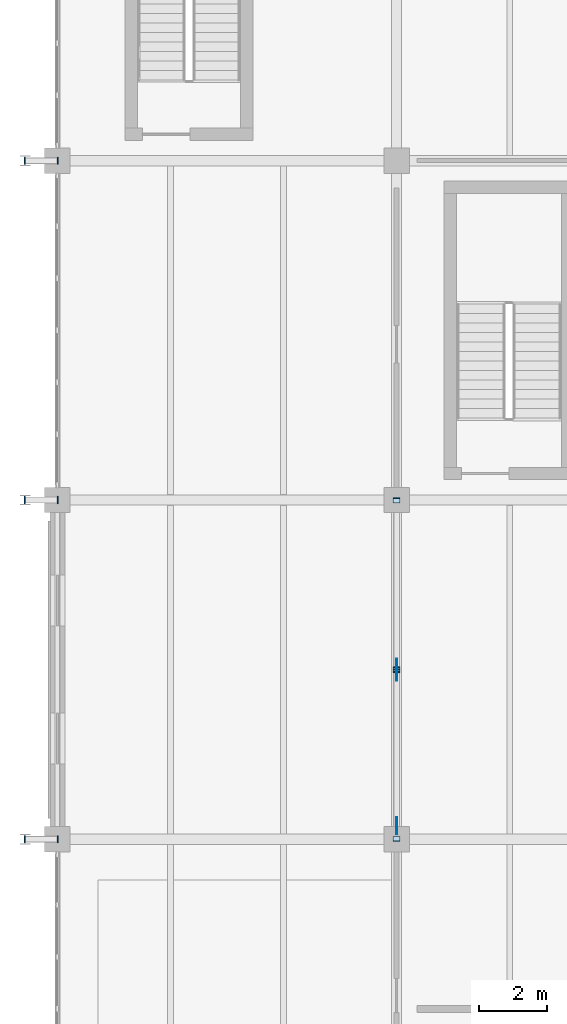
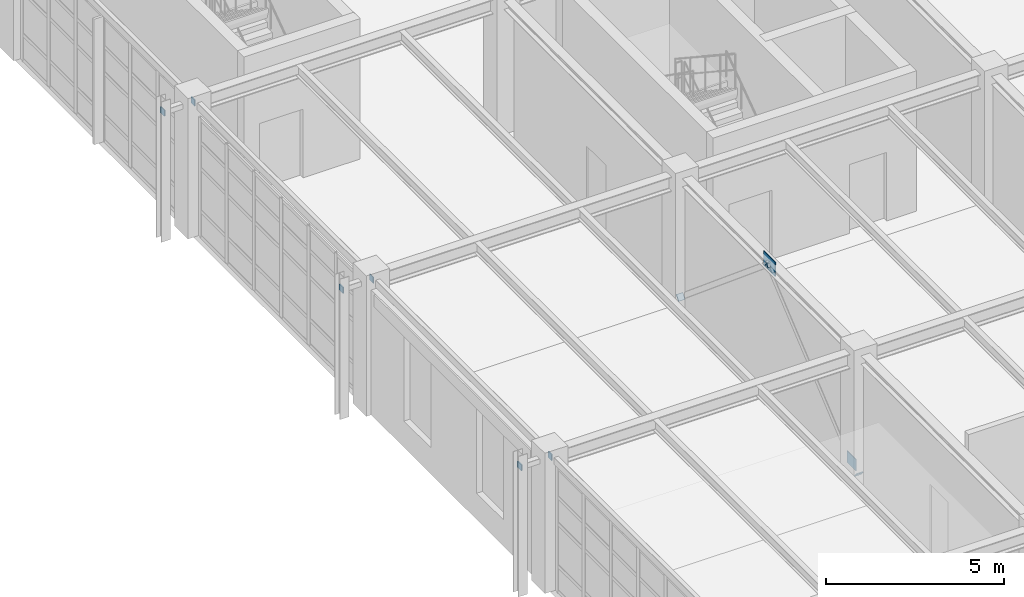
# One storey, part 108 of 139: 12 plates.
"""IFC4 building model written with IfcOpenShell, lengths in metres."""

from ifc_helpers import new_model, si_unit, direction, frame, origin, origin_2d, place, context, subcontext, project, spatial, rectangle, extrude, material, layer, layer_set, type_object, element, save


model = new_model("IFC4")

# Units and contexts
model_context = context("Model", 3, precision=1e-05, world=origin(), true_north=direction((0.0, 1.0)))
body_context = subcontext(model_context, "Body", "Model", "MODEL_VIEW")
ifc_project = project(units=[si_unit("LENGTHUNIT", "METRE"), si_unit("AREAUNIT", "SQUARE_METRE"), si_unit("VOLUMEUNIT", "CUBIC_METRE"), si_unit("PLANEANGLEUNIT", "RADIAN"), si_unit("MASSUNIT", "GRAM", prefix="KILO"), si_unit("THERMODYNAMICTEMPERATUREUNIT", "KELVIN"), si_unit("POWERUNIT", "WATT")], contexts=[model_context])

# Site, building, storey
site_placement = place(None, origin())
site = spatial("IfcSite", under=ifc_project, at=site_placement, CompositionType="ELEMENT")
building_placement = place(site_placement, origin())
building = spatial("IfcBuilding", under=site, at=building_placement, Name="Korenveer Ferry Terminal", CompositionType="ELEMENT")
storey_placement = place(building_placement, frame((0.0, 0.0, 5.39990234375)))
storey = spatial("IfcBuildingStorey", under=building, at=storey_placement, Name="L01", CompositionType="ELEMENT", Elevation=5.39990234375)

# Plates
ifc_material = material(Name="Steel S355", Category="steel")
ifc_layer_1 = layer(ifc_material, 0.031982421875)
ifc_layer_set_1 = layer_set([ifc_layer_1], Name="Steel S355")
plate_type_1 = type_object("IfcPlateType", Name="STR-PLT-CAP32", PredefinedType="USERDEFINED", material=ifc_layer_set_1)
for number, where, z_axis, x_axis, name in (
    (1, (-0.98193359375, 40.0, 4.35009765625), (1.0, 0.0, 0.0), (0.0, 1.0, 0.0), "Hollow section end cap 91"),
    (2, (0.0, 40.0, 4.35009765625), (1.0, 0.0, 0.0), (0.0, 1.0, 0.0), "Hollow section end cap 92"),
    (3, (-0.98193359375, 50.0, 4.35009765625), (1.0, 0.0, 0.0), (0.0, 1.0, 0.0), "Hollow section end cap 97"),
    (4, (0.0, 50.0, 4.35009765625), (1.0, 0.0, 0.0), (0.0, 1.0, 0.0), "Hollow section end cap 98"),
    (5, (-0.98193359375, 60.0, 4.35009765625), (1.0, 0.0, 0.0), (0.0, 1.0, 0.0), "Hollow section end cap 103"),
    (6, (0.0, 60.0, 4.35009765625), (1.0, 0.0, 0.0), (0.0, 1.0, 0.0), "Hollow section end cap 104"),
    (7, (10.0, 39.99560546875, 0.219482421875), (0.0, 0.767462827943, 0.641093446953), (-1.0, 0.0, 0.0), "Hollow section end cap 602"),
    (8, (10.0, 45.0, 4.400146484375), (0.0, 0.767462827943, 0.641093446953), (-1.0, 0.0, 0.0), "Hollow section end cap 603"),
    (9, (10.0, 44.9755859375, 4.420654296875), (0.0, 0.767462827943, -0.641093446953), (-1.0, 0.0, 0.0), "Hollow section end cap 604"),
    (10, (10.0, 49.97998046875, 0.239990234375), (0.0, 0.767462827943, -0.641093446953), (-1.0, 0.0, 0.0), "Hollow section end cap 605"),
):
    element("IfcPlate", number, at=place(storey_placement, frame(where, z_axis=z_axis, x_axis=x_axis)), inside=storey, type_object=plate_type_1, Name=name, ObjectType="END CAP PLATE", PredefinedType="USERDEFINED", context=body_context, shape_type="SweptSolid", body=[
        extrude(rectangle(XDim=0.2099609375, YDim=0.2099609375, at=origin_2d()), origin(), (0.0, 0.0, 1.0), 0.031982421875),
    ])
ifc_layer_2 = layer(ifc_material, 0.02392578125)
ifc_layer_set_2 = layer_set([ifc_layer_2], Name="Steel S355")
plate_type_2 = type_object("IfcPlateType", Name="STR-PLT-GUS24", PredefinedType="USERDEFINED", material=ifc_layer_set_2)
plate_1_placement = place(storey_placement, frame((10.0, 45.0, 4.150146484375), z_axis=(0.0, 0.0, 1.0), x_axis=(1.0, 0.0, 0.0)))
element("IfcPlate", 11, at=plate_1_placement, inside=storey, type_object=plate_type_2, Name="Chevron brace apex gusset 15", ObjectType="GUSSET PLATE", PredefinedType="USERDEFINED", context=body_context, shape_type="SweptSolid", body=[
    extrude(rectangle(XDim=0.02392578125, YDim=0.64990234375, at=origin_2d()), origin(), (0.0, 0.0, 1.0), 0.5),
])
plate_2_placement = place(storey_placement, frame((10.0, 40.39990234375, 0.240234375), z_axis=(0.0, 0.0, 1.0), x_axis=(1.0, 0.0, 0.0)))
element("IfcPlate", 12, at=plate_2_placement, inside=storey, type_object=plate_type_2, Name="Chevron brace base gusset 16", ObjectType="GUSSET PLATE", PredefinedType="USERDEFINED", context=body_context, shape_type="SweptSolid", body=[
    extrude(rectangle(XDim=0.02392578125, YDim=0.5, at=origin_2d()), origin(), (0.0, 0.0, 1.0), 0.39990234375),
])

save(model, "model.ifc")
